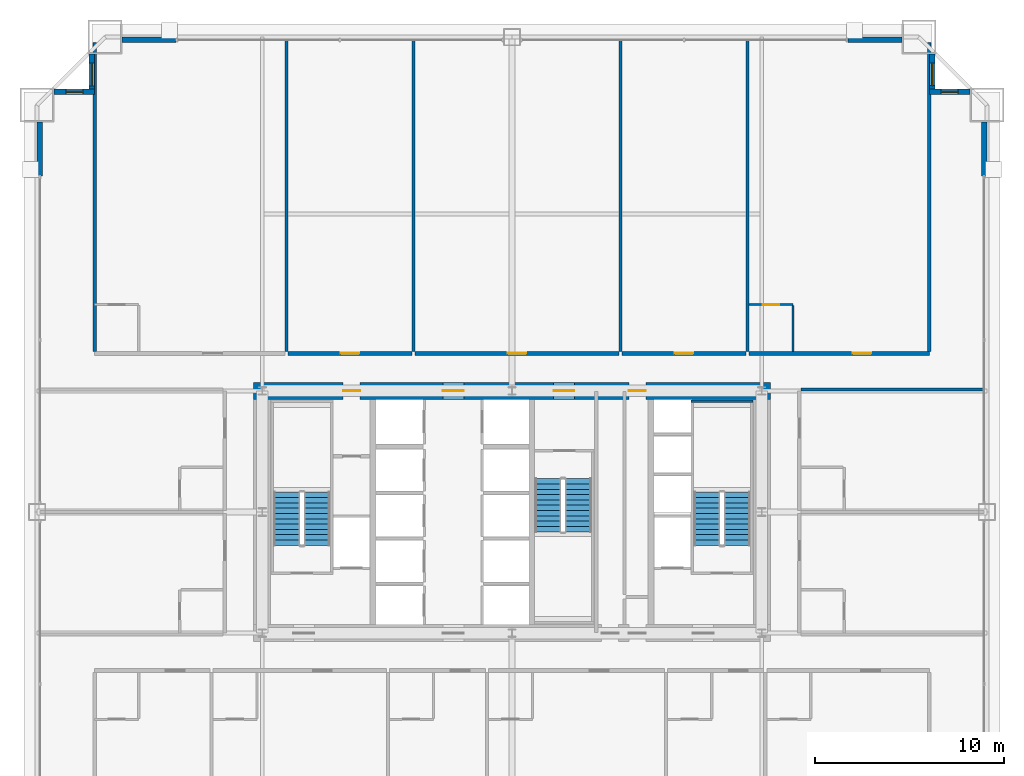
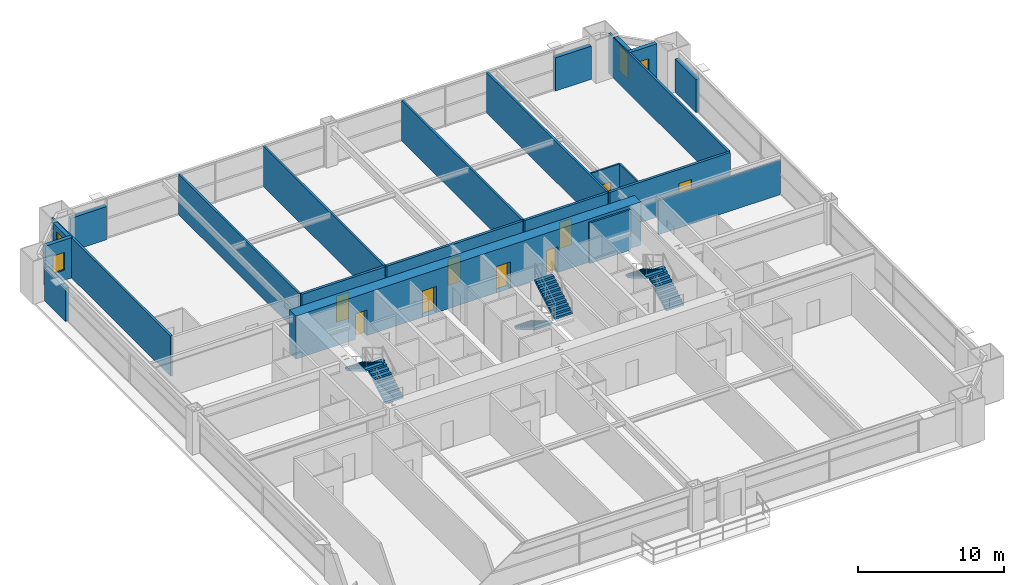
# One storey, part 42 of 43: 23 walls, 9 doors, 6 stair flights, 4 windows, 13 openings, 3 elements without a shape of their own.
"""IFC4 building model written with IfcOpenShell, lengths in metres."""

from ifc_helpers import new_model, si_unit, direction, frame, frame_2d, origin, place, context, subcontext, project, spatial, polyline, rectangle, outline, extrude, source, transform, mapped, material, layer, layer_set, type_object, element, fill, aggregate, save


model = new_model("IFC4")

# Units and contexts
model_context = context("Model", 3, precision=1e-05, world=origin(), true_north=direction((0.0, 1.0)))
body_context = subcontext(model_context, "Body", "Model", "MODEL_VIEW")
ifc_project = project(units=[si_unit("LENGTHUNIT", "METRE"), si_unit("AREAUNIT", "SQUARE_METRE"), si_unit("VOLUMEUNIT", "CUBIC_METRE"), si_unit("PLANEANGLEUNIT", "RADIAN"), si_unit("MASSUNIT", "GRAM", prefix="KILO"), si_unit("THERMODYNAMICTEMPERATUREUNIT", "KELVIN"), si_unit("POWERUNIT", "WATT")], contexts=[model_context])

# Site, building, storey
site_placement = place(None, origin())
site = spatial("IfcSite", under=ifc_project, at=site_placement, CompositionType="ELEMENT")
building_placement = place(site_placement, origin())
building = spatial("IfcBuilding", under=site, at=building_placement, Name="Yuzanri Waterfront Tower", CompositionType="ELEMENT")
storey_placement = place(building_placement, frame((0.0, 0.0, 64.0)))
storey = spatial("IfcBuildingStorey", under=building, at=storey_placement, Name="L16", CompositionType="ELEMENT", Elevation=64.0)

# Wall, opening, door
ifc_material_1 = material(Name="Moisture-Resistant Gypsum Stud Wall", Category="gypsum")
ifc_layer_1 = layer(ifc_material_1, 0.1201171875)
ifc_layer_set_1 = layer_set([ifc_layer_1], Name="Moisture-Resistant Gypsum Stud Wall")
wall_type_1 = type_object("IfcWallType", Name="Bathroom and Kitchen Wet Partition 120", PredefinedType="PARTITIONING", material=ifc_layer_set_1)
wall_1_placement = place(storey_placement, frame((49.52197265625, 36.760009765625, 0.0), z_axis=(0.0, 0.0, 1.0), x_axis=(1.0, 0.0, 0.0)))
wall_1 = element("IfcWall", 1, at=wall_1_placement, inside=storey, type_object=wall_type_1, Name="L16 Partition UW-L16-N5-BN", PredefinedType="PARTITIONING", context=body_context, shape_type="SweptSolid", body=[
    extrude(rectangle(XDim=2.330078125, YDim=0.1201171875, at=frame_2d((1.1650390625, 0.0))), origin(), (0.0, 0.0, 1.0), 3.3798828125),
])
opening_1_placement = place(wall_1_placement, frame((0.739990234375, 0.0, 0.0)))
opening_1 = element("IfcOpeningElement", 2, at=opening_1_placement, cuts=wall_1, Name="Opening ID-0850", PredefinedType="OPENING", context=body_context, shape_type="SweptSolid", body=[
    extrude(rectangle(XDim=0.85009765625, YDim=2.10009765625, at=frame_2d((0.425048828125, 1.050048828125))), frame((0.0, 0.074951171875, 0.0), z_axis=(0.0, -1.0, 0.0), x_axis=(1.0, 0.0, 0.0)), (0.0, 0.0, 1.0), 0.14990234375),
])
ifc_material_2 = material(Name="Moisture-Resistant Lacquered Timber", Category="wood")
door_type_1 = type_object("IfcDoorType", Name="En-Suite Bathroom and Kitchen Swing Door 850x2100", OperationType="NOTDEFINED", PredefinedType="DOOR", material=ifc_material_2)
shared_shape_1 = source(origin(), body_context, "Body", "SweptSolid", [
    extrude(rectangle(XDim=0.85009765625, YDim=2.10009765625, at=frame_2d((0.425048828125, 1.050048828125))), frame((0.0, 0.02490234375, 0.0), z_axis=(0.0, -1.0, 0.0), x_axis=(1.0, 0.0, 0.0)), (0.0, 0.0, 1.0), 0.050048828125),
])
door_1_placement = place(opening_1_placement, origin())
door_1 = element("IfcDoor", 3, at=door_1_placement, inside=storey, type_object=door_type_1, Name="L16 Guest En-Suite Door", OperationType="SINGLE_SWING_LEFT", OverallHeight=2.10009765625, OverallWidth=0.85009765625, PredefinedType="DOOR", context=body_context, shape_type="MappedRepresentation", body=[
    mapped(shared_shape_1, transform((0.0, 0.0, 0.0), scale=1.0)),
])
fill(opening_1, door_1)

# Wall, opening, window
ifc_material_3 = material(Name="Honed Chongqing Dark Basalt Stone", Category="masonry")
ifc_layer_2 = layer(ifc_material_3, 0.300048828125)
ifc_layer_set_2 = layer_set([ifc_layer_2], Name="Honed Chongqing Dark Basalt Stone")
wall_type_2 = type_object("IfcWallType", Name="Bronze Rainscreen Insulated Spandrel Portal Wall 300", PredefinedType="SOLIDWALL", material=ifc_layer_set_2)
wall_2_placement = place(storey_placement, frame((14.949951171875, 48.0, 0.0), z_axis=(0.0, 0.0, 1.0), x_axis=(-1.0, 0.0, 0.0)))
wall_2 = element("IfcWall", 4, at=wall_2_placement, inside=storey, type_object=wall_type_2, Name="L16 Notched Corner Masonry Wall NW-X", PredefinedType="SOLIDWALL", context=body_context, shape_type="SweptSolid", body=[
    extrude(rectangle(XDim=2.14990234375, YDim=0.300048828125, at=frame_2d((1.074951171875, 0.0))), origin(), (0.0, 0.0, 1.0), 3.3798828125),
])
opening_2_placement = place(wall_2_placement, frame((0.625, 0.0, 0.85009765625)))
opening_2 = element("IfcOpeningElement", 5, at=opening_2_placement, cuts=wall_2, Name="Opening WN-05", PredefinedType="OPENING", context=body_context, shape_type="SweptSolid", body=[
    extrude(rectangle(XDim=0.89990234375, YDim=1.5, at=frame_2d((0.449951171875, 0.75))), frame((0.0, 0.1650390625, 0.0), z_axis=(0.0, -1.0, 0.0), x_axis=(1.0, 0.0, 0.0)), (0.0, 0.0, 1.0), 0.329833984375),
])
ifc_material_4 = material(Name="Double-Silver Low-E Insulated Glass", Category="glass")
window_type_1 = type_object("IfcWindowType", Name="Anodized Bronze Service and Stairwell Smoke-Vent Window 900x1500", PartitioningType="SINGLE_PANEL", PredefinedType="WINDOW", material=ifc_material_4)
shared_shape_2 = source(origin(), body_context, "Body", "SweptSolid", [
    extrude(rectangle(XDim=0.89990234375, YDim=1.5, at=frame_2d((0.449951171875, 0.75))), frame((0.0, 0.030029296875, 0.0), z_axis=(0.0, -1.0, 0.0), x_axis=(1.0, 0.0, 0.0)), (0.0, 0.0, 1.0), 0.06005859375),
])
window_1_placement = place(opening_2_placement, origin())
window_1 = element("IfcWindow", 6, at=window_1_placement, inside=storey, type_object=window_type_1, Name="L16 Notched Corner Window NW-X", OverallHeight=1.5, OverallWidth=0.89990234375, PartitioningType="SINGLE_PANEL", PredefinedType="WINDOW", context=body_context, shape_type="MappedRepresentation", body=[
    mapped(shared_shape_2, transform((0.0, 0.0, 0.0), scale=1.0)),
])
fill(opening_2, window_1)

wall_3_placement = place(storey_placement, frame((14.800048828125, 50.0, 0.0), z_axis=(0.0, 0.0, 1.0), x_axis=(0.0, -1.0, 0.0)))
wall_3 = element("IfcWall", 7, at=wall_3_placement, inside=storey, type_object=wall_type_2, Name="L16 Notched Corner Masonry Wall NW-Y", PredefinedType="SOLIDWALL", context=body_context, shape_type="SweptSolid", body=[
    extrude(rectangle(XDim=2.14990234375, YDim=0.300048828125, at=frame_2d((1.074951171875, 0.0))), origin(), (0.0, 0.0, 1.0), 3.3798828125),
])
opening_3_placement = place(wall_3_placement, frame((0.47509765625, 0.0, 0.85009765625)))
opening_3 = element("IfcOpeningElement", 8, at=opening_3_placement, cuts=wall_3, Name="Opening WN-02", PredefinedType="OPENING", context=body_context, shape_type="SweptSolid", body=[
    extrude(rectangle(XDim=1.199951171875, YDim=2.10009765625, at=frame_2d((0.60009765625, 1.050048828125))), frame((0.0, 0.1650390625, 0.0), z_axis=(0.0, -1.0, 0.0), x_axis=(1.0, 0.0, 0.0)), (0.0, 0.0, 1.0), 0.329833984375),
])
ifc_material_5 = material(Name="Double-Silver Low-E Insulated Glass", Category="glass")
window_type_2 = type_object("IfcWindowType", Name="Anodized Bronze Notched Corner Deep-Set Slot Window 1200x2100", PartitioningType="SINGLE_PANEL", PredefinedType="WINDOW", material=ifc_material_5)
shared_shape_3 = source(origin(), body_context, "Body", "SweptSolid", [
    extrude(rectangle(XDim=1.199951171875, YDim=2.10009765625, at=frame_2d((0.60009765625, 1.050048828125))), frame((0.0, 0.030029296875, 0.0), z_axis=(0.0, -1.0, 0.0), x_axis=(1.0, 0.0, 0.0)), (0.0, 0.0, 1.0), 0.06005859375),
])
window_2_placement = place(opening_3_placement, origin())
window_2 = element("IfcWindow", 9, at=window_2_placement, inside=storey, type_object=window_type_2, Name="L16 Notched Corner Window NW-Y", OverallHeight=2.10009765625, OverallWidth=1.199951171875, PartitioningType="SINGLE_PANEL", PredefinedType="WINDOW", context=body_context, shape_type="MappedRepresentation", body=[
    mapped(shared_shape_3, transform((0.0, 0.0, 0.0), scale=1.0)),
])
fill(opening_3, window_2)

wall_4_placement = place(storey_placement, frame((61.199951171875, 48.0, 0.0), z_axis=(0.0, 0.0, 1.0), x_axis=(-1.0, 0.0, 0.0)))
wall_4 = element("IfcWall", 10, at=wall_4_placement, inside=storey, type_object=wall_type_2, Name="L16 Notched Corner Masonry Wall NE-X", PredefinedType="SOLIDWALL", context=body_context, shape_type="SweptSolid", body=[
    extrude(rectangle(XDim=2.14990234375, YDim=0.300048828125, at=frame_2d((1.074951171875, 0.0))), origin(), (0.0, 0.0, 1.0), 3.3798828125),
])
opening_4_placement = place(wall_4_placement, frame((0.625, 0.0, 0.85009765625)))
opening_4 = element("IfcOpeningElement", 11, at=opening_4_placement, cuts=wall_4, Name="Opening WN-05", PredefinedType="OPENING", context=body_context, shape_type="SweptSolid", body=[
    extrude(rectangle(XDim=0.89990234375, YDim=1.5, at=frame_2d((0.449951171875, 0.75))), frame((0.0, 0.1650390625, 0.0), z_axis=(0.0, -1.0, 0.0), x_axis=(1.0, 0.0, 0.0)), (0.0, 0.0, 1.0), 0.329833984375),
])
window_3_placement = place(opening_4_placement, origin())
window_3 = element("IfcWindow", 12, at=window_3_placement, inside=storey, type_object=window_type_1, Name="L16 Notched Corner Window NE-X", OverallHeight=1.5, OverallWidth=0.89990234375, PartitioningType="SINGLE_PANEL", PredefinedType="WINDOW", context=body_context, shape_type="MappedRepresentation", body=[
    mapped(shared_shape_2, transform((0.0, 0.0, 0.0), scale=1.0)),
])
fill(opening_4, window_3)

wall_5_placement = place(storey_placement, frame((59.199951171875, 47.85009765625, 0.0), z_axis=(0.0, 0.0, 1.0), x_axis=(0.0, 1.0, 0.0)))
wall_5 = element("IfcWall", 13, at=wall_5_placement, inside=storey, type_object=wall_type_2, Name="L16 Notched Corner Masonry Wall NE-Y", PredefinedType="SOLIDWALL", context=body_context, shape_type="SweptSolid", body=[
    extrude(rectangle(XDim=2.14990234375, YDim=0.300048828125, at=frame_2d((1.074951171875, 0.0))), origin(), (0.0, 0.0, 1.0), 3.3798828125),
])
opening_5_placement = place(wall_5_placement, frame((0.47509765625, 0.0, 0.85009765625)))
opening_5 = element("IfcOpeningElement", 14, at=opening_5_placement, cuts=wall_5, Name="Opening WN-02", PredefinedType="OPENING", context=body_context, shape_type="SweptSolid", body=[
    extrude(rectangle(XDim=1.199951171875, YDim=2.10009765625, at=frame_2d((0.60009765625, 1.050048828125))), frame((0.0, 0.1650390625, 0.0), z_axis=(0.0, -1.0, 0.0), x_axis=(1.0, 0.0, 0.0)), (0.0, 0.0, 1.0), 0.329833984375),
])
window_4_placement = place(opening_5_placement, origin())
window_4 = element("IfcWindow", 15, at=window_4_placement, inside=storey, type_object=window_type_2, Name="L16 Notched Corner Window NE-Y", OverallHeight=2.10009765625, OverallWidth=1.199951171875, PartitioningType="SINGLE_PANEL", PredefinedType="WINDOW", context=body_context, shape_type="MappedRepresentation", body=[
    mapped(shared_shape_3, transform((0.0, 0.0, 0.0), scale=1.0)),
])
fill(opening_5, window_4)

# Wall, openings, doors
ifc_material_6 = material(Name="Concrete C60", Category="concrete")
ifc_layer_3 = layer(ifc_material_6, 0.89990234375)
ifc_layer_set_3 = layer_set([ifc_layer_3], Name="Concrete C60")
wall_type_3 = type_object("IfcWallType", Name="Concrete C60 Lower Zone Core Shear Wall 900", PredefinedType="SHEAR", material=ifc_layer_set_3)
wall_6_placement = place(storey_placement, frame((23.35009765625, 32.199951171875, 0.0), z_axis=(0.0, 0.0, 1.0), x_axis=(1.0, 0.0, 0.0)))
wall_6 = element("IfcWall", 16, at=wall_6_placement, inside=storey, type_object=wall_type_3, Name="L16 Core North Shear Wall", PredefinedType="SHEAR", context=body_context, shape_type="SweptSolid", body=[
    extrude(rectangle(XDim=27.2998046875, YDim=0.89990234375, at=frame_2d((13.64990234375, 0.0))), origin(), (0.0, 0.0, 1.0), 3.60009765625),
])
opening_6_placement = place(wall_6_placement, frame((4.719970703125, 0.0, 0.0)))
opening_6 = element("IfcOpeningElement", 17, at=opening_6_placement, cuts=wall_6, Name="Opening FD-0900", PredefinedType="OPENING", context=body_context, shape_type="SweptSolid", body=[
    extrude(rectangle(XDim=0.89990234375, YDim=2.14990234375, at=frame_2d((0.449951171875, 1.074951171875))), frame((0.0, 0.46484375, 0.0), z_axis=(0.0, -1.0, 0.0), x_axis=(1.0, 0.0, 0.0)), (0.0, 0.0, 1.0), 0.9296875),
])
opening_7_placement = place(wall_6_placement, frame((10.0, 0.0, 0.0)))
opening_7 = element("IfcOpeningElement", 18, at=opening_7_placement, cuts=wall_6, Name="Opening FD-1100", PredefinedType="OPENING", context=body_context, shape_type="SweptSolid", body=[
    extrude(rectangle(XDim=1.10009765625, YDim=2.199951171875, at=frame_2d((0.550048828125, 1.10009765625))), frame((0.0, 0.46484375, 0.0), z_axis=(0.0, -1.0, 0.0), x_axis=(1.0, 0.0, 0.0)), (0.0, 0.0, 1.0), 0.9296875),
])
opening_8_placement = place(wall_6_placement, frame((15.85009765625, 0.0, 0.0)))
opening_8 = element("IfcOpeningElement", 19, at=opening_8_placement, cuts=wall_6, Name="Opening FD-1100", PredefinedType="OPENING", context=body_context, shape_type="SweptSolid", body=[
    extrude(rectangle(XDim=1.10009765625, YDim=2.199951171875, at=frame_2d((0.550048828125, 1.10009765625))), frame((0.0, 0.46484375, 0.0), z_axis=(0.0, -1.0, 0.0), x_axis=(1.0, 0.0, 0.0)), (0.0, 0.0, 1.0), 0.9296875),
])
opening_9_placement = place(wall_6_placement, frame((19.820068359375, 0.0, 0.0)))
opening_9 = element("IfcOpeningElement", 20, at=opening_9_placement, cuts=wall_6, Name="Opening FD-0900", PredefinedType="OPENING", context=body_context, shape_type="SweptSolid", body=[
    extrude(rectangle(XDim=0.89990234375, YDim=2.14990234375, at=frame_2d((0.449951171875, 1.074951171875))), frame((0.0, 0.46484375, 0.0), z_axis=(0.0, -1.0, 0.0), x_axis=(1.0, 0.0, 0.0)), (0.0, 0.0, 1.0), 0.9296875),
])
ifc_material_7 = material(Name="Painted Galvanized Fire Steel", Category="steel")
door_type_2 = type_object("IfcDoorType", Name="Smoke-Proof Stair and Lobby Fire Door 1100x2200", OperationType="NOTDEFINED", PredefinedType="DOOR", material=ifc_material_7)
shared_shape_4 = source(origin(), body_context, "Body", "SweptSolid", [
    extrude(rectangle(XDim=1.10009765625, YDim=2.199951171875, at=frame_2d((0.550048828125, 1.10009765625))), frame((0.0, 0.02490234375, 0.0), z_axis=(0.0, -1.0, 0.0), x_axis=(1.0, 0.0, 0.0)), (0.0, 0.0, 1.0), 0.050048828125),
])
door_2_placement = place(opening_7_placement, origin())
door_2 = element("IfcDoor", 21, at=door_2_placement, inside=storey, type_object=door_type_2, Name="L16 Central Lift Lobby North Door", OperationType="SINGLE_SWING_LEFT", OverallHeight=2.199951171875, OverallWidth=1.10009765625, PredefinedType="DOOR", context=body_context, shape_type="MappedRepresentation", body=[
    mapped(shared_shape_4, transform((0.0, 0.0, 0.0), scale=1.0)),
])
fill(opening_7, door_2)
door_3_placement = place(opening_8_placement, origin())
door_3 = element("IfcDoor", 22, at=door_3_placement, inside=storey, type_object=door_type_2, Name="L16 North Stair Lobby Door", OperationType="SINGLE_SWING_RIGHT", OverallHeight=2.199951171875, OverallWidth=1.10009765625, PredefinedType="DOOR", context=body_context, shape_type="MappedRepresentation", body=[
    mapped(shared_shape_4, transform((0.0, 0.0, 0.0), scale=1.0)),
])
fill(opening_8, door_3)
ifc_material_8 = material(Name="Painted Galvanized Fire Steel", Category="steel")
door_type_3 = type_object("IfcDoorType", Name="Riser and Service Room Fire Door 900x2150", OperationType="NOTDEFINED", PredefinedType="DOOR", material=ifc_material_8)
shared_shape_5 = source(origin(), body_context, "Body", "SweptSolid", [
    extrude(rectangle(XDim=0.89990234375, YDim=2.14990234375, at=frame_2d((0.449951171875, 1.074951171875))), frame((0.0, 0.02490234375, 0.0), z_axis=(0.0, -1.0, 0.0), x_axis=(1.0, 0.0, 0.0)), (0.0, 0.0, 1.0), 0.050048828125),
])
door_4_placement = place(opening_6_placement, origin())
door_4 = element("IfcDoor", 23, at=door_4_placement, inside=storey, type_object=door_type_3, Name="L16 Telecom Riser Door", OperationType="SINGLE_SWING_RIGHT", OverallHeight=2.14990234375, OverallWidth=0.89990234375, PredefinedType="DOOR", context=body_context, shape_type="MappedRepresentation", body=[
    mapped(shared_shape_5, transform((0.0, 0.0, 0.0), scale=1.0)),
])
fill(opening_6, door_4)
door_5_placement = place(opening_9_placement, origin())
door_5 = element("IfcDoor", 24, at=door_5_placement, inside=storey, type_object=door_type_3, Name="L16 Linen Store Room", OperationType="SINGLE_SWING_RIGHT", OverallHeight=2.14990234375, OverallWidth=0.89990234375, PredefinedType="DOOR", context=body_context, shape_type="MappedRepresentation", body=[
    mapped(shared_shape_5, transform((0.0, 0.0, 0.0), scale=1.0)),
])
fill(opening_9, door_5)

# Wall, opening, door
ifc_material_9 = material(Name="Autoclaved Aerated Concrete Blockwork", Category="masonry")
ifc_layer_4 = layer(ifc_material_9, 0.199951171875)
ifc_layer_set_4 = layer_set([ifc_layer_4], Name="Autoclaved Aerated Concrete Blockwork")
wall_type_4 = type_object("IfcWallType", Name="Corridor and Unit Party Fire Wall 200", PredefinedType="PARTITIONING", material=ifc_layer_set_4)
wall_7_placement = place(storey_placement, frame((25.16796875, 34.179931640625, 0.0), z_axis=(0.0, 0.0, 1.0), x_axis=(1.0, 0.0, 0.0)))
wall_7 = element("IfcWall", 25, at=wall_7_placement, inside=storey, type_object=wall_type_4, Name="L16 Partition UW-L16-N2-CS", PredefinedType="PARTITIONING", context=body_context, shape_type="SweptSolid", body=[
    extrude(rectangle(XDim=6.546142578125, YDim=0.199951171875, at=frame_2d((3.27294921875, 0.0))), origin(), (0.0, 0.0, 1.0), 3.3798828125),
])
opening_10_placement = place(wall_7_placement, frame((2.77294921875, 0.0, 0.0)))
opening_10 = element("IfcOpeningElement", 26, at=opening_10_placement, cuts=wall_7, Name="Opening FD-1000", PredefinedType="OPENING", context=body_context, shape_type="SweptSolid", body=[
    extrude(rectangle(XDim=1.0, YDim=2.199951171875, at=frame_2d((0.5, 1.10009765625))), frame((0.0, 0.11474609375, 0.0), z_axis=(0.0, -1.0, 0.0), x_axis=(1.0, 0.0, 0.0)), (0.0, 0.0, 1.0), 0.229736328125),
])
ifc_material_10 = material(Name="Engineered Oak Fire-Rated Timber", Category="wood")
door_type_4 = type_object("IfcDoorType", Name="Guestroom and Apartment Entrance Fire Door 1000x2200", OperationType="NOTDEFINED", PredefinedType="DOOR", material=ifc_material_10)
shared_shape_6 = source(origin(), body_context, "Body", "SweptSolid", [
    extrude(rectangle(XDim=1.0, YDim=2.199951171875, at=frame_2d((0.5, 1.10009765625))), frame((0.0, 0.02490234375, 0.0), z_axis=(0.0, -1.0, 0.0), x_axis=(1.0, 0.0, 0.0)), (0.0, 0.0, 1.0), 0.050048828125),
])
door_6_placement = place(opening_10_placement, origin())
door_6 = element("IfcDoor", 27, at=door_6_placement, inside=storey, type_object=door_type_4, Name="L16 Executive Office 1 Entrance Door", OperationType="SINGLE_SWING_LEFT", OverallHeight=2.199951171875, OverallWidth=1.0, PredefinedType="DOOR", context=body_context, shape_type="MappedRepresentation", body=[
    mapped(shared_shape_6, transform((0.0, 0.0, 0.0), scale=1.0)),
])
fill(opening_10, door_6)

wall_8_placement = place(storey_placement, frame((31.8740234375, 34.179931640625, 0.0), z_axis=(0.0, 0.0, 1.0), x_axis=(1.0, 0.0, 0.0)))
wall_8 = element("IfcWall", 28, at=wall_8_placement, inside=storey, type_object=wall_type_4, Name="L16 Partition UW-L16-N3-CS", PredefinedType="PARTITIONING", context=body_context, shape_type="SweptSolid", body=[
    extrude(rectangle(XDim=10.781982421875, YDim=0.199951171875, at=frame_2d((5.39111328125, 0.0))), origin(), (0.0, 0.0, 1.0), 3.3798828125),
])
opening_11_placement = place(wall_8_placement, frame((4.89111328125, 0.0, 0.0)))
opening_11 = element("IfcOpeningElement", 29, at=opening_11_placement, cuts=wall_8, Name="Opening FD-1000", PredefinedType="OPENING", context=body_context, shape_type="SweptSolid", body=[
    extrude(rectangle(XDim=1.0, YDim=2.199951171875, at=frame_2d((0.5, 1.10009765625))), frame((0.0, 0.11474609375, 0.0), z_axis=(0.0, -1.0, 0.0), x_axis=(1.0, 0.0, 0.0)), (0.0, 0.0, 1.0), 0.229736328125),
])
door_7_placement = place(opening_11_placement, origin())
door_7 = element("IfcDoor", 30, at=door_7_placement, inside=storey, type_object=door_type_4, Name="L16 Executive Office 2 Entrance Door", OperationType="SINGLE_SWING_RIGHT", OverallHeight=2.199951171875, OverallWidth=1.0, PredefinedType="DOOR", context=body_context, shape_type="MappedRepresentation", body=[
    mapped(shared_shape_6, transform((0.0, 0.0, 0.0), scale=1.0)),
])
fill(opening_11, door_7)

wall_9_placement = place(storey_placement, frame((42.81591796875, 34.179931640625, 0.0), z_axis=(0.0, 0.0, 1.0), x_axis=(1.0, 0.0, 0.0)))
wall_9 = element("IfcWall", 31, at=wall_9_placement, inside=storey, type_object=wall_type_4, Name="L16 Partition UW-L16-N4-CS", PredefinedType="PARTITIONING", context=body_context, shape_type="SweptSolid", body=[
    extrude(rectangle(XDim=6.546142578125, YDim=0.199951171875, at=frame_2d((3.27294921875, 0.0))), origin(), (0.0, 0.0, 1.0), 3.3798828125),
])
opening_12_placement = place(wall_9_placement, frame((2.77294921875, 0.0, 0.0)))
opening_12 = element("IfcOpeningElement", 32, at=opening_12_placement, cuts=wall_9, Name="Opening FD-1000", PredefinedType="OPENING", context=body_context, shape_type="SweptSolid", body=[
    extrude(rectangle(XDim=1.0, YDim=2.199951171875, at=frame_2d((0.5, 1.10009765625))), frame((0.0, 0.11474609375, 0.0), z_axis=(0.0, -1.0, 0.0), x_axis=(1.0, 0.0, 0.0)), (0.0, 0.0, 1.0), 0.229736328125),
])
door_8_placement = place(opening_12_placement, origin())
door_8 = element("IfcDoor", 33, at=door_8_placement, inside=storey, type_object=door_type_4, Name="L16 Executive Office 3 Entrance Door", OperationType="SINGLE_SWING_LEFT", OverallHeight=2.199951171875, OverallWidth=1.0, PredefinedType="DOOR", context=body_context, shape_type="MappedRepresentation", body=[
    mapped(shared_shape_6, transform((0.0, 0.0, 0.0), scale=1.0)),
])
fill(opening_12, door_8)

wall_10_placement = place(storey_placement, frame((49.52197265625, 34.179931640625, 0.0), z_axis=(0.0, 0.0, 1.0), x_axis=(1.0, 0.0, 0.0)))
wall_10 = element("IfcWall", 34, at=wall_10_placement, inside=storey, type_object=wall_type_4, Name="L16 Partition UW-L16-N5-CS", PredefinedType="PARTITIONING", context=body_context, shape_type="SweptSolid", body=[
    extrude(rectangle(XDim=9.5380859375, YDim=0.199951171875, at=frame_2d((4.76904296875, 0.0))), origin(), (0.0, 0.0, 1.0), 3.3798828125),
])
opening_13_placement = place(wall_10_placement, frame((5.47412109375, 0.0, 0.0)))
opening_13 = element("IfcOpeningElement", 35, at=opening_13_placement, cuts=wall_10, Name="Opening FD-1000", PredefinedType="OPENING", context=body_context, shape_type="SweptSolid", body=[
    extrude(rectangle(XDim=1.0, YDim=2.199951171875, at=frame_2d((0.5, 1.10009765625))), frame((0.0, 0.11474609375, 0.0), z_axis=(0.0, -1.0, 0.0), x_axis=(1.0, 0.0, 0.0)), (0.0, 0.0, 1.0), 0.229736328125),
])
door_9_placement = place(opening_13_placement, origin())
door_9 = element("IfcDoor", 36, at=door_9_placement, inside=storey, type_object=door_type_4, Name="L16 Diplomatic Suite Entrance Door", OperationType="SINGLE_SWING_RIGHT", OverallHeight=2.199951171875, OverallWidth=1.0, PredefinedType="DOOR", context=body_context, shape_type="MappedRepresentation", body=[
    mapped(shared_shape_6, transform((0.0, 0.0, 0.0), scale=1.0)),
])
fill(opening_13, door_9)

# Walls
shared_shape_7 = source(origin(), body_context, "Body", "SweptSolid", [
    extrude(rectangle(XDim=2.85009765625, YDim=0.300048828125, at=frame_2d((1.425048828125, 0.0))), origin(), (0.0, 0.0, 1.0), 2.77490234375),
])
for number, where, z_axis, x_axis, name in (
    (37, (16.39990234375, 50.75, 0.0), (0.0, 0.0, 1.0), (1.0, 0.0, 0.0), "L16 N Left Braced Masonry Shoulder"),
    (38, (54.75, 50.75, 0.0), (0.0, 0.0, 1.0), (1.0, 0.0, 0.0), "L16 N Right Braced Masonry Shoulder"),
):
    element("IfcWall", number, at=place(storey_placement, frame(where, z_axis=z_axis, x_axis=x_axis)), inside=storey, type_object=wall_type_2, Name=name, PredefinedType="SOLIDWALL", context=body_context, shape_type="MappedRepresentation", body=[
        mapped(shared_shape_7, transform((0.0, 0.0, 0.0), scale=1.0)),
    ])
shared_shape_8 = source(origin(), body_context, "Body", "SweptSolid", [
    extrude(rectangle(XDim=2.849853515625, YDim=0.300048828125, at=frame_2d((1.4248046875, 0.0))), origin(), (0.0, 0.0, 1.0), 2.77490234375),
])
for number, where, z_axis, x_axis, name in (
    (39, (12.050048828125, 43.550048828125, 0.0), (0.0, 0.0, 1.0), (0.0, 1.0, 0.0), "L16 W Right Braced Masonry Shoulder"),
    (40, (61.949951171875, 43.550048828125, 0.0), (0.0, 0.0, 1.0), (0.0, 1.0, 0.0), "L16 E Right Braced Masonry Shoulder"),
):
    element("IfcWall", number, at=place(storey_placement, frame(where, z_axis=z_axis, x_axis=x_axis)), inside=storey, type_object=wall_type_2, Name=name, PredefinedType="SOLIDWALL", context=body_context, shape_type="MappedRepresentation", body=[
        mapped(shared_shape_8, transform((0.0, 0.0, 0.0), scale=1.0)),
    ])
ifc_material_11 = material(Name="Concrete C40", Category="concrete")
ifc_layer_5 = layer(ifc_material_11, 0.139892578125)
ifc_layer_set_5 = layer_set([ifc_layer_5], Name="Concrete C40")
wall_type_5 = type_object("IfcWallType", Name="Core Stair Liner and Hoistway Shaft Wall 140", PredefinedType="SOLIDWALL", material=ifc_layer_set_5)
shared_shape_9 = source(origin(), body_context, "Body", "SweptSolid", [
    extrude(rectangle(XDim=3.280029296875, YDim=0.139892578125, at=frame_2d((1.64013671875, 0.0))), origin(), (0.0, 0.0, 1.0), 3.3798828125),
])
wall_11_placement = place(storey_placement, frame((46.4599609375, 31.64990234375, 0.0), z_axis=(0.0, 0.0, 1.0), x_axis=(1.0, 0.0, 0.0)))
element("IfcWall", 41, at=wall_11_placement, inside=storey, type_object=wall_type_5, Name="L16 Stair ST-02 North Shaft Wall", PredefinedType="SOLIDWALL", context=body_context, shape_type="MappedRepresentation", body=[
    mapped(shared_shape_9, transform((0.0, 0.0, 0.0), scale=1.0)),
])
ifc_material_12 = material(Name="Gypsum Fireboard Acoustic Stud Wall", Category="gypsum")
ifc_layer_6 = layer(ifc_material_12, 0.159912109375)
ifc_layer_set_6 = layer_set([ifc_layer_6], Name="Gypsum Fireboard Acoustic Stud Wall")
wall_type_6 = type_object("IfcWallType", Name="Acoustic Suite Demising Partition 160", PredefinedType="PARTITIONING", material=ifc_layer_set_6)
shared_shape_10 = source(origin(), body_context, "Body", "SweptSolid", [
    extrude(rectangle(XDim=16.469970703125, YDim=0.159912109375, at=frame_2d((8.23486328125, 0.0))), origin(), (0.0, 0.0, 1.0), 3.3798828125),
])
for number, where, z_axis, x_axis, name in (
    (42, (25.087890625, 34.280029296875, 0.0), (0.0, 0.0, 1.0), (0.0, 1.0, 0.0), "L16-N1 Party Wall"),
    (43, (31.7939453125, 34.280029296875, 0.0), (0.0, 0.0, 1.0), (0.0, 1.0, 0.0), "L16-N2 Party Wall"),
    (44, (42.736083984375, 34.280029296875, 0.0), (0.0, 0.0, 1.0), (0.0, 1.0, 0.0), "L16-N3 Party Wall"),
    (45, (49.44189453125, 34.280029296875, 0.0), (0.0, 0.0, 1.0), (0.0, 1.0, 0.0), "L16-N4 Party Wall"),
):
    element("IfcWall", number, at=place(storey_placement, frame(where, z_axis=z_axis, x_axis=x_axis)), inside=storey, type_object=wall_type_6, Name=name, PredefinedType="PARTITIONING", context=body_context, shape_type="MappedRepresentation", body=[
        mapped(shared_shape_10, transform((0.0, 0.0, 0.0), scale=1.0)),
    ])
shared_shape_11 = source(origin(), body_context, "Body", "SweptSolid", [
    extrude(rectangle(XDim=16.320068359375, YDim=0.159912109375, at=frame_2d((8.16015625, 0.0))), origin(), (0.0, 0.0, 1.0), 3.3798828125),
])
for number, where, z_axis, x_axis, name in (
    (46, (14.949951171875, 34.280029296875, 0.0), (0.0, 0.0, 1.0), (0.0, 1.0, 0.0), "L16 North Band West End Wall"),
    (47, (59.050048828125, 34.280029296875, 0.0), (0.0, 0.0, 1.0), (0.0, 1.0, 0.0), "L16 North Band East End Wall"),
):
    element("IfcWall", number, at=place(storey_placement, frame(where, z_axis=z_axis, x_axis=x_axis)), inside=storey, type_object=wall_type_6, Name=name, PredefinedType="PARTITIONING", context=body_context, shape_type="MappedRepresentation", body=[
        mapped(shared_shape_11, transform((0.0, 0.0, 0.0), scale=1.0)),
    ])
shared_shape_12 = source(origin(), body_context, "Body", "SweptSolid", [
    extrude(rectangle(XDim=2.419921875, YDim=0.1201171875, at=frame_2d((1.2099609375, 0.0))), origin(), (0.0, 0.0, 1.0), 3.3798828125),
])
wall_12_placement = place(storey_placement, frame((51.85205078125, 34.280029296875, 0.0), z_axis=(0.0, 0.0, 1.0), x_axis=(0.0, 1.0, 0.0)))
element("IfcWall", 48, at=wall_12_placement, inside=storey, type_object=wall_type_1, Name="L16-N5 En-Suite Side Wall", PredefinedType="PARTITIONING", context=body_context, shape_type="MappedRepresentation", body=[
    mapped(shared_shape_12, transform((0.0, 0.0, 0.0), scale=1.0)),
])
shared_shape_13 = source(origin(), body_context, "Body", "SweptSolid", [
    extrude(rectangle(XDim=9.669921875, YDim=0.159912109375, at=frame_2d((4.8349609375, 0.0))), origin(), (0.0, 0.0, 1.0), 2.875),
])
wall_13_placement = place(storey_placement, frame((52.280029296875, 32.27001953125, 0.0), z_axis=(0.0, 0.0, 1.0), x_axis=(1.0, 0.0, 0.0)))
element("IfcWall", 49, at=wall_13_placement, inside=storey, type_object=wall_type_6, Name="L16-E2 Wing North End Wall", PredefinedType="PARTITIONING", context=body_context, shape_type="MappedRepresentation", body=[
    mapped(shared_shape_13, transform((0.0, 0.0, 0.0), scale=1.0)),
])

# Stair, stair flights
ifc_material_13 = material(Name="Concrete C40", Category="concrete")
stair_type = type_object("IfcStairType", Name="Concrete C40 Core Dogleg Exit Stair", PredefinedType="HALF_TURN_STAIR", material=ifc_material_13)
stair_1_placement = place(storey_placement, origin())
stair_1 = element("IfcStair", 50, at=stair_1_placement, inside=storey, type_object=stair_type, Name="L16 Smoke-Proof Core Stair ST-01", PredefinedType="HALF_TURN_STAIR")
ifc_material_14 = material(Name="Concrete C40", Category="concrete")
stair_flight_type = type_object("IfcStairFlightType", Name="Concrete C40 Precast Stair Flight 1380", PredefinedType="STRAIGHT", material=ifc_material_14)
shared_shape_14 = source(origin(), body_context, "Body", "SweptSolid", [
    extrude(outline(polyline([(0.0, 0.0), (0.0, 0.16357421875), (0.280029296875, 0.16357421875), (0.280029296875, 0.327392578125), (0.56005859375, 0.327392578125), (0.56005859375, 0.490966796875), (0.840087890625, 0.490966796875), (0.840087890625, 0.654541015625), (1.1201171875, 0.654541015625), (1.1201171875, 0.818115234375), (1.39990234375, 0.818115234375), (1.39990234375, 0.98193359375), (1.679931640625, 0.98193359375), (1.679931640625, 1.1455078125), (1.9599609375, 1.1455078125), (1.9599609375, 1.30908203125), (2.239990234375, 1.30908203125), (2.239990234375, 1.47265625), (2.52001953125, 1.47265625), (2.52001953125, 1.636474609375), (2.800048828125, 1.636474609375), (2.800048828125, 1.800048828125), (2.800048828125, 1.462646484375), (0.297119140625, 0.0), (0.0, 0.0)])), frame((0.0, 0.699951171875, 0.0), z_axis=(0.0, -1.0, 0.0), x_axis=(1.0, 0.0, 0.0)), (0.0, 0.0, 1.0), 1.39990234375),
])
stair_flight_1_placement = place(storey_placement, frame((26.699951171875, 24.0400390625, 0.0), z_axis=(0.0, 0.0, 1.0), x_axis=(0.0, 1.0, 0.0)))
stair_flight_1 = element("IfcStairFlight", 51, at=stair_flight_1_placement, type_object=stair_flight_type, Name="ST-01 flight 1", NumberOfRisers=11, NumberOfTreads=10, PredefinedType="STRAIGHT", RiserHeight=0.163636364, TreadLength=0.28, context=body_context, shape_type="MappedRepresentation", body=[
    mapped(shared_shape_14, transform((0.0, 0.0, 0.0), scale=1.0)),
])
stair_flight_2_placement = place(storey_placement, frame((25.10009765625, 26.840087890625, 1.800048828125), z_axis=(0.0, 0.0, 1.0), x_axis=(0.0, -1.0, 0.0)))
stair_flight_2 = element("IfcStairFlight", 52, at=stair_flight_2_placement, type_object=stair_flight_type, Name="ST-01 flight 2", NumberOfRisers=11, NumberOfTreads=10, PredefinedType="STRAIGHT", RiserHeight=0.163636364, TreadLength=0.28, context=body_context, shape_type="MappedRepresentation", body=[
    mapped(shared_shape_14, transform((0.0, 0.0, 0.0), scale=1.0)),
])
aggregate(stair_1, [stair_flight_1, stair_flight_2])

stair_2_placement = place(storey_placement, origin())
stair_2 = element("IfcStair", 53, at=stair_2_placement, inside=storey, type_object=stair_type, Name="L16 Smoke-Proof Core Stair ST-02", PredefinedType="HALF_TURN_STAIR")
stair_flight_3_placement = place(storey_placement, frame((48.89990234375, 24.0400390625, 0.0), z_axis=(0.0, 0.0, 1.0), x_axis=(0.0, 1.0, 0.0)))
stair_flight_3 = element("IfcStairFlight", 54, at=stair_flight_3_placement, type_object=stair_flight_type, Name="ST-02 flight 1", NumberOfRisers=11, NumberOfTreads=10, PredefinedType="STRAIGHT", RiserHeight=0.163636364, TreadLength=0.28, context=body_context, shape_type="MappedRepresentation", body=[
    mapped(shared_shape_14, transform((0.0, 0.0, 0.0), scale=1.0)),
])
stair_flight_4_placement = place(storey_placement, frame((47.300048828125, 26.840087890625, 1.800048828125), z_axis=(0.0, 0.0, 1.0), x_axis=(0.0, -1.0, 0.0)))
stair_flight_4 = element("IfcStairFlight", 55, at=stair_flight_4_placement, type_object=stair_flight_type, Name="ST-02 flight 2", NumberOfRisers=11, NumberOfTreads=10, PredefinedType="STRAIGHT", RiserHeight=0.163636364, TreadLength=0.28, context=body_context, shape_type="MappedRepresentation", body=[
    mapped(shared_shape_14, transform((0.0, 0.0, 0.0), scale=1.0)),
])
aggregate(stair_2, [stair_flight_3, stair_flight_4])

stair_3_placement = place(storey_placement, origin())
stair_3 = element("IfcStair", 56, at=stair_3_placement, inside=storey, type_object=stair_type, Name="L16 Smoke-Proof Core Stair ST-03", PredefinedType="HALF_TURN_STAIR")
stair_flight_5_placement = place(storey_placement, frame((38.89990234375, 27.56005859375, 0.0), z_axis=(0.0, 0.0, 1.0), x_axis=(0.0, -1.0, 0.0)))
stair_flight_5 = element("IfcStairFlight", 57, at=stair_flight_5_placement, type_object=stair_flight_type, Name="ST-03 flight 1", NumberOfRisers=11, NumberOfTreads=10, PredefinedType="STRAIGHT", RiserHeight=0.163636364, TreadLength=0.28, context=body_context, shape_type="MappedRepresentation", body=[
    mapped(shared_shape_14, transform((0.0, 0.0, 0.0), scale=1.0)),
])
stair_flight_6_placement = place(storey_placement, frame((40.5, 24.760009765625, 1.800048828125), z_axis=(0.0, 0.0, 1.0), x_axis=(0.0, 1.0, 0.0)))
stair_flight_6 = element("IfcStairFlight", 58, at=stair_flight_6_placement, type_object=stair_flight_type, Name="ST-03 flight 2", NumberOfRisers=11, NumberOfTreads=10, PredefinedType="STRAIGHT", RiserHeight=0.163636364, TreadLength=0.28, context=body_context, shape_type="MappedRepresentation", body=[
    mapped(shared_shape_14, transform((0.0, 0.0, 0.0), scale=1.0)),
])
aggregate(stair_3, [stair_flight_5, stair_flight_6])

save(model, "model.ifc")
